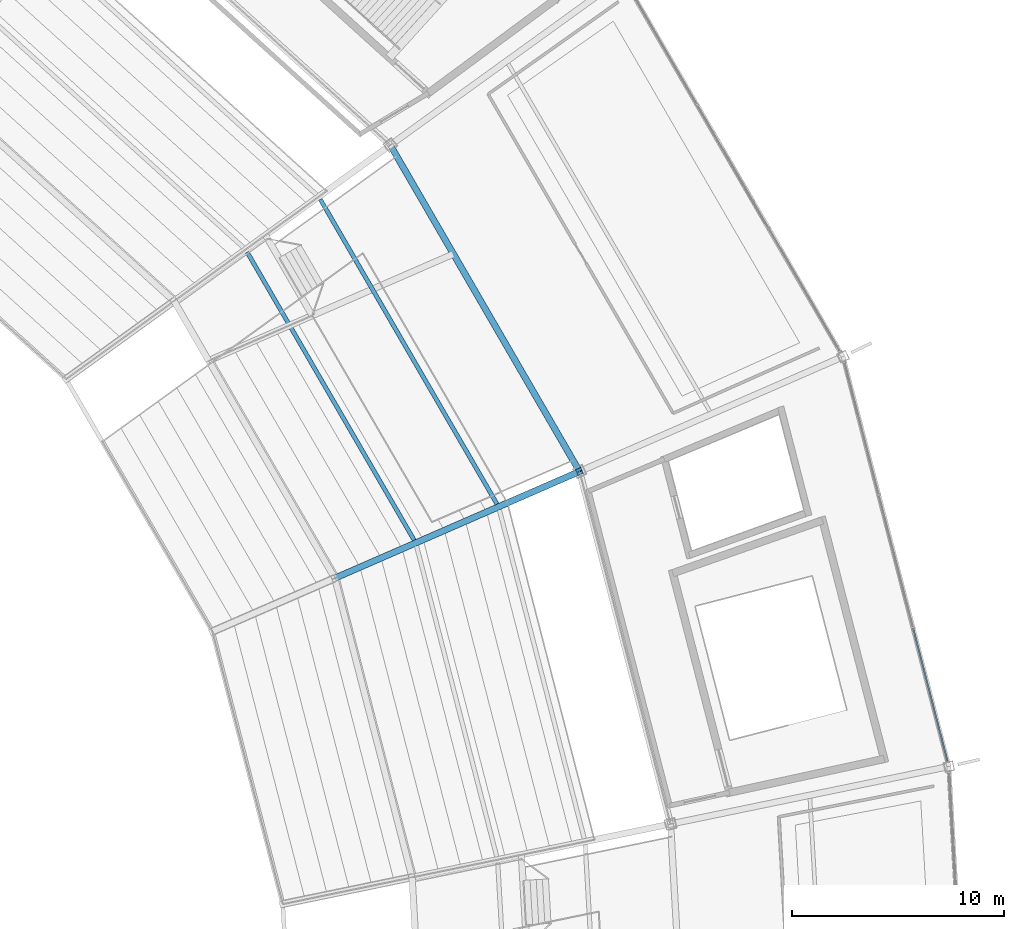
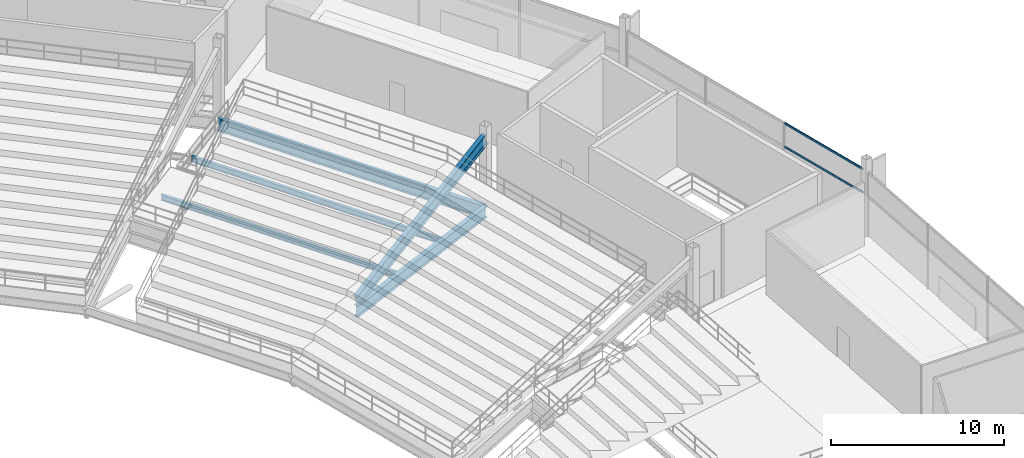
# One storey, part 78 of 186: 5 beams, 2 members, 1 element without a shape of its own.
"""IFC4 building model written with IfcOpenShell, lengths in metres."""

from ifc_helpers import new_model, si_unit, direction, frame, origin, origin_2d, place, context, subcontext, project, spatial, hollow_rectangle, i_section, extrude, material, layer, layer_set, material_profile, profile_set, type_object, element, aggregate, save


model = new_model("IFC4")

# Units and contexts
model_context = context("Model", 3, precision=1e-05, world=origin(), true_north=direction((0.0, 1.0)))
body_context = subcontext(model_context, "Body", "Model", "MODEL_VIEW")
ifc_project = project(units=[si_unit("LENGTHUNIT", "METRE"), si_unit("AREAUNIT", "SQUARE_METRE"), si_unit("VOLUMEUNIT", "CUBIC_METRE"), si_unit("PLANEANGLEUNIT", "RADIAN"), si_unit("MASSUNIT", "GRAM", prefix="KILO")], contexts=[model_context])

# Site, building, storey
site_placement = place(None, origin())
site = spatial("IfcSite", under=ifc_project, at=site_placement, CompositionType="ELEMENT")
building_placement = place(site_placement, origin())
building = spatial("IfcBuilding", under=site, at=building_placement, Name="Kazemori Nagisa Stadium", CompositionType="ELEMENT")
storey_placement = place(building_placement, frame((0.0, 0.0, 20.39990234375)))
storey = spatial("IfcBuildingStorey", under=building, at=storey_placement, Name="L04", CompositionType="ELEMENT", Elevation=20.39990234375)

# Beams
ifc_material_1 = material(Name="Steel SN490B", Category="steel")
ifc_material_profile_1 = material_profile(ifc_material_1, i_section(OverallWidth=0.300048828125, OverallDepth=0.800048828125, WebThickness=0.013916015625, FlangeThickness=0.02587890625, FilletRadius=0.01806640625, at=origin_2d()), Name="H-800x300x14x26")
ifc_profile_set_1 = profile_set([ifc_material_profile_1], Name="Steel SN490B")
beam_type_1 = type_object("IfcBeamType", Name="Beam_BG-H800", PredefinedType="BEAM", material=ifc_profile_set_1)
beam_1_placement = place(storey_placement, frame((187.885986328125, 130.287109375, -0.699951171875), z_axis=(0.916671768981, 0.399640923771, 0.0), x_axis=(-0.399640923771, 0.916671768981, 0.0)))
element("IfcBeam", 1, at=beam_1_placement, inside=storey, type_object=beam_type_1, Name="Radial girder BG-H800 L04 R1-R2-03", PredefinedType="BEAM", context=body_context, shape_type="SweptSolid", body=[
    extrude(i_section(OverallWidth=0.300048828125, OverallDepth=0.800048828125, WebThickness=0.013916015625, FlangeThickness=0.02587890625, FilletRadius=0.01806640625, at=origin_2d()), origin(), (0.0, 0.0, 1.0), 12.605224609375),
])
ifc_material_profile_2 = material_profile(ifc_material_1, i_section(OverallWidth=0.300048828125, OverallDepth=0.89990234375, WebThickness=0.01611328125, FlangeThickness=0.028076171875, FilletRadius=0.01806640625, at=origin_2d()), Name="H-900x300x16x28")
ifc_profile_set_2 = profile_set([ifc_material_profile_2], Name="Steel SN490B")
beam_type_2 = type_object("IfcBeamType", Name="Beam_BG-H900", PredefinedType="BEAM", material=ifc_profile_set_2)
beam_2_placement = place(storey_placement, frame((199.44091796875, 135.32470703125, -0.75), z_axis=(-0.501606704589, 0.865095783085, 0.0), x_axis=(-0.865095783085, -0.501606704589, 0.0)))
element("IfcBeam", 2, at=beam_2_placement, inside=storey, type_object=beam_type_2, Name="Ring girder BG-H900 L04 R2-03", PredefinedType="BEAM", context=body_context, shape_type="SweptSolid", body=[
    extrude(i_section(OverallWidth=0.300048828125, OverallDepth=0.89990234375, WebThickness=0.01611328125, FlangeThickness=0.028076171875, FilletRadius=0.01806640625, at=origin_2d()), origin(), (0.0, 0.0, 1.0), 17.8125),
])
ifc_material_profile_3 = material_profile(ifc_material_1, i_section(OverallWidth=0.199951171875, OverallDepth=0.39990234375, WebThickness=0.008056640625, FlangeThickness=0.012939453125, FilletRadius=0.012939453125, at=origin_2d()), Name="H-400x200x8x13")
ifc_profile_set_3 = profile_set([ifc_material_profile_3], Name="Steel SN490B")
beam_type_3 = type_object("IfcBeamType", Name="Beam_BJ-H400", PredefinedType="JOIST", material=ifc_profile_set_3)
beam_3_placement = place(storey_placement, frame((191.63525390625, 132.078857421875, -0.5), z_axis=(-0.501603039788, 0.865097908028, 0.0), x_axis=(-0.865097908028, -0.501603039788, 0.0)))
element("IfcBeam", 3, at=beam_3_placement, inside=storey, type_object=beam_type_3, Name="Concourse joist BJ-H400 L04 B03-1", PredefinedType="JOIST", context=body_context, shape_type="SweptSolid", body=[
    extrude(i_section(OverallWidth=0.199951171875, OverallDepth=0.39990234375, WebThickness=0.008056640625, FlangeThickness=0.012939453125, FilletRadius=0.012939453125, at=origin_2d()), origin(), (0.0, 0.0, 1.0), 15.720703125),
])
beam_4_placement = place(storey_placement, frame((195.546142578125, 133.783935546875, -0.5), z_axis=(-0.501611321485, 0.865093106063, 0.0), x_axis=(-0.865093106063, -0.501611321485, 0.0)))
element("IfcBeam", 4, at=beam_4_placement, inside=storey, type_object=beam_type_3, Name="Concourse joist BJ-H400 L04 B03-2", PredefinedType="JOIST", context=body_context, shape_type="SweptSolid", body=[
    extrude(i_section(OverallWidth=0.199951171875, OverallDepth=0.39990234375, WebThickness=0.008056640625, FlangeThickness=0.012939453125, FilletRadius=0.012939453125, at=origin_2d()), origin(), (0.0, 0.0, 1.0), 16.6318359375),
])
ifc_material_profile_4 = material_profile(ifc_material_1, i_section(OverallWidth=0.300048828125, OverallDepth=0.800048828125, WebThickness=0.013916015625, FlangeThickness=0.02587890625, FilletRadius=0.01806640625, at=origin_2d()), Name="H-800x300x14x26")
ifc_profile_set_4 = profile_set([ifc_material_profile_4], Name="Steel SN490B")
beam_type_4 = type_object("IfcBeamType", Name="Beam_RK-ST800", PredefinedType="USERDEFINED", material=ifc_profile_set_4)
beam_5_placement = place(storey_placement, frame((187.885986328125, 130.287109375, 0.02001953125), z_axis=(0.864815739813, 0.377033277173, 0.331571476571), x_axis=(-0.399640923771, 0.916671768981, 0.0)))
element("IfcBeam", 5, at=beam_5_placement, inside=storey, type_object=beam_type_4, Name="Raker beam upper backspan RK3-03B", ObjectType="RAKER BEAM", PredefinedType="USERDEFINED", context=body_context, shape_type="SweptSolid", body=[
    extrude(i_section(OverallWidth=0.300048828125, OverallDepth=0.800048828125, WebThickness=0.013916015625, FlangeThickness=0.02587890625, FilletRadius=0.01806640625, at=origin_2d()), origin(), (0.0, 0.0, 1.0), 13.361083984375),
])

# Curtain wall, members
ifc_material_2 = material(Name="Anodised aluminium 6063-T5", Category="aluminium")
ifc_layer = layer(ifc_material_2, 0.179931640625, Name="Anodised aluminium 6063-T5", Category="aluminium")
ifc_layer_set = layer_set([ifc_layer], Name="Anodised aluminium 6063-T5")
curtain_wall_type = type_object("IfcCurtainWallType", Name="CW_L04R3_98", PredefinedType="USERDEFINED", material=ifc_layer_set)
curtain_wall_placement = place(storey_placement, origin())
curtain_wall = element("IfcCurtainWall", 6, at=curtain_wall_placement, inside=storey, type_object=curtain_wall_type, Name="Unitised curtain wall CW-L04R3-98 L04", ObjectType="UNITISED CURTAIN WALL", PredefinedType="USERDEFINED")
ifc_material_3 = material(Name="Aluminium 6063-T5 anodised", Category="aluminium")
ifc_material_profile_5 = material_profile(ifc_material_3, hollow_rectangle(XDim=0.070068359375, YDim=0.139892578125, WallThickness=0.00390625, at=origin_2d()), Name="ALU-TRAN-70x140x4")
ifc_profile_set_5 = profile_set([ifc_material_profile_5], Name="Aluminium 6063-T5 anodised")
member_type = type_object("IfcMemberType", Name="Transom_T01", PredefinedType="USERDEFINED", material=ifc_profile_set_5)
member_1_placement = place(storey_placement, frame((216.81201171875, 121.6640625, 2.80859375), z_axis=(-0.249971861357, 0.968253101482, 0.0), x_axis=(-0.968253101482, -0.249971861357, 0.0)))
member_1 = element("IfcMember", 7, at=member_1_placement, type_object=member_type, Name="Curtain wall transom CW-L04R3-98-T1-mid", ObjectType="TRANSOM", PredefinedType="USERDEFINED", context=body_context, shape_type="SweptSolid", body=[
    extrude(hollow_rectangle(XDim=0.070068359375, YDim=0.139892578125, WallThickness=0.00390625, at=origin_2d()), origin(), (0.0, 0.0, 1.0), 6.451904296875),
])
member_2_placement = place(storey_placement, frame((216.81201171875, 121.6640625, 4.460205078125), z_axis=(-0.249971861357, 0.968253101482, 0.0), x_axis=(-0.968253101482, -0.249971861357, 0.0)))
member_2 = element("IfcMember", 8, at=member_2_placement, type_object=member_type, Name="Curtain wall transom CW-L04R3-98-T1-head", ObjectType="TRANSOM", PredefinedType="USERDEFINED", context=body_context, shape_type="SweptSolid", body=[
    extrude(hollow_rectangle(XDim=0.070068359375, YDim=0.139892578125, WallThickness=0.00390625, at=origin_2d()), origin(), (0.0, 0.0, 1.0), 6.451904296875),
])
aggregate(curtain_wall, [member_1, member_2])

save(model, "model.ifc")
